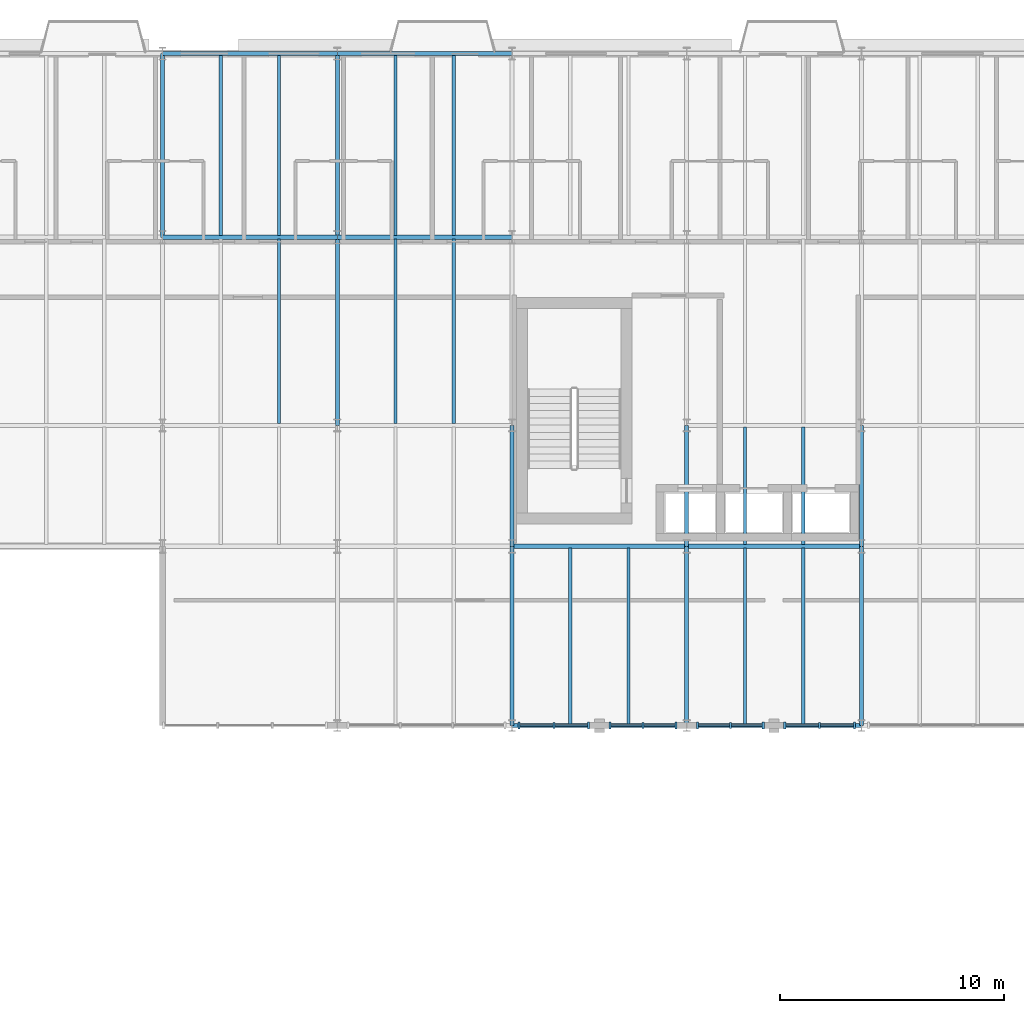
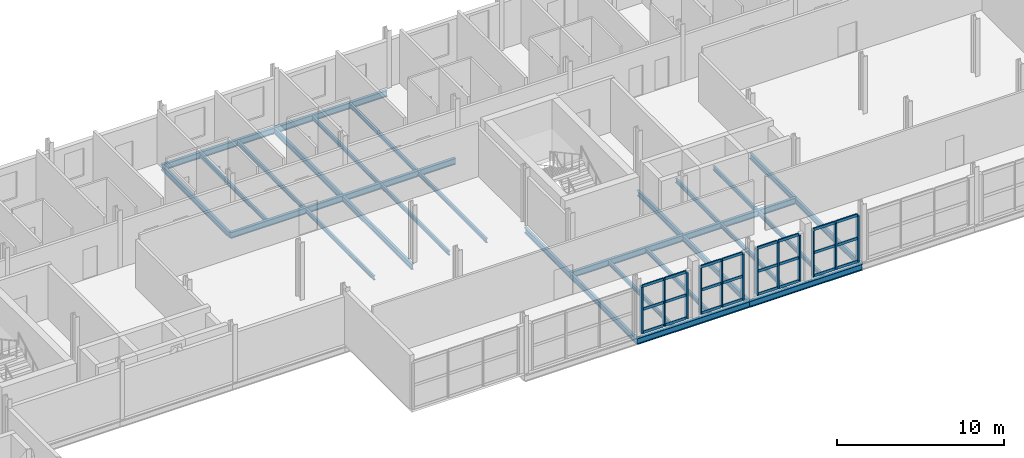
# One storey, part 17 of 45: 36 members, 30 beams, 4 elements without a shape of their own.
"""IFC4 building model written with IfcOpenShell, lengths in metres."""

from ifc_helpers import new_model, si_unit, direction, frame, origin, origin_2d, place, context, subcontext, project, spatial, rectangle, i_section, extrude, material, layer, layer_set, material_profile, profile_set, type_object, element, aggregate, save


model = new_model("IFC4")

# Units and contexts
model_context = context("Model", 3, precision=1e-05, world=origin(), true_north=direction((0.0, 1.0)))
body_context = subcontext(model_context, "Body", "Model", "MODEL_VIEW")
ifc_project = project(units=[si_unit("LENGTHUNIT", "METRE"), si_unit("AREAUNIT", "SQUARE_METRE"), si_unit("VOLUMEUNIT", "CUBIC_METRE"), si_unit("PLANEANGLEUNIT", "RADIAN"), si_unit("MASSUNIT", "GRAM", prefix="KILO")], contexts=[model_context])

# Site, building, storey
site_placement = place(None, origin())
site = spatial("IfcSite", under=ifc_project, at=site_placement, CompositionType="ELEMENT")
building_placement = place(site_placement, origin())
building = spatial("IfcBuilding", under=site, at=building_placement, Name="Sefraquen Railside Congress Hotel", CompositionType="ELEMENT")
storey_placement = place(building_placement, frame((0.0, 0.0, 20.39990234375)))
storey = spatial("IfcBuildingStorey", under=building, at=storey_placement, Name="L04", CompositionType="ELEMENT", Elevation=20.39990234375)

# Beams
ifc_material_1 = material(Name="Steel S355JR", Category="steel")
ifc_material_profile_1 = material_profile(ifc_material_1, i_section(OverallWidth=0.179931640625, OverallDepth=0.39990234375, WebThickness=0.008544921875, FlangeThickness=0.013427734375, FilletRadius=0.02099609375, at=origin_2d()), Name="IPE 400")
ifc_profile_set_1 = profile_set([ifc_material_profile_1], Name="Steel S355JR")
beam_type_1 = type_object("IfcBeamType", Name="TB-BM-400I", PredefinedType="BEAM", material=ifc_profile_set_1)
beam_1_placement = place(storey_placement, frame((48.60009765625, 109.800048828125, -0.47998046875), z_axis=(0.0, 1.0, 0.0), x_axis=(-1.0, 0.0, 0.0)))
element("IfcBeam", 1, at=beam_1_placement, inside=storey, type_object=beam_type_1, Name="Floor beam BM-L04-1371", PredefinedType="BEAM", context=body_context, shape_type="SweptSolid", body=[
    extrude(i_section(OverallWidth=0.179931640625, OverallDepth=0.39990234375, WebThickness=0.008544921875, FlangeThickness=0.013427734375, FilletRadius=0.02099609375, at=origin_2d()), origin(), (0.0, 0.0, 1.0), 8.199951171875),
])
beam_2_placement = place(storey_placement, frame((56.39990234375, 101.39990234375, -0.47998046875), z_axis=(0.0, 1.0, 0.0), x_axis=(-1.0, 0.0, 0.0)))
element("IfcBeam", 2, at=beam_2_placement, inside=storey, type_object=beam_type_1, Name="Floor beam BM-L04-1374", PredefinedType="BEAM", context=body_context, shape_type="SweptSolid", body=[
    extrude(i_section(OverallWidth=0.179931640625, OverallDepth=0.39990234375, WebThickness=0.008544921875, FlangeThickness=0.013427734375, FilletRadius=0.02099609375, at=origin_2d()), origin(), (0.0, 0.0, 1.0), 8.400146484375),
])
beam_3_placement = place(storey_placement, frame((56.39990234375, 109.800048828125, -0.47998046875), z_axis=(0.0, 1.0, 0.0), x_axis=(-1.0, 0.0, 0.0)))
element("IfcBeam", 3, at=beam_3_placement, inside=storey, type_object=beam_type_1, Name="Floor beam BM-L04-1375", PredefinedType="BEAM", context=body_context, shape_type="SweptSolid", body=[
    extrude(i_section(OverallWidth=0.179931640625, OverallDepth=0.39990234375, WebThickness=0.008544921875, FlangeThickness=0.013427734375, FilletRadius=0.02099609375, at=origin_2d()), origin(), (0.0, 0.0, 1.0), 8.199951171875),
])
beam_4_placement = place(storey_placement, frame((64.199951171875, 88.0, -0.47998046875), z_axis=(0.0, 1.0, 0.0), x_axis=(-1.0, 0.0, 0.0)))
element("IfcBeam", 4, at=beam_4_placement, inside=storey, type_object=beam_type_1, Name="Floor beam BM-L04-1376", PredefinedType="BEAM", context=body_context, shape_type="SweptSolid", body=[
    extrude(i_section(OverallWidth=0.179931640625, OverallDepth=0.39990234375, WebThickness=0.008544921875, FlangeThickness=0.013427734375, FilletRadius=0.02099609375, at=origin_2d()), origin(), (0.0, 0.0, 1.0), 8.0),
])
beam_5_placement = place(storey_placement, frame((64.199951171875, 96.0, -0.47998046875), z_axis=(0.0, 1.0, 0.0), x_axis=(-1.0, 0.0, 0.0)))
element("IfcBeam", 5, at=beam_5_placement, inside=storey, type_object=beam_type_1, Name="Floor beam BM-L04-1377", PredefinedType="BEAM", context=body_context, shape_type="SweptSolid", body=[
    extrude(i_section(OverallWidth=0.179931640625, OverallDepth=0.39990234375, WebThickness=0.008544921875, FlangeThickness=0.013427734375, FilletRadius=0.02099609375, at=origin_2d()), origin(), (0.0, 0.0, 1.0), 5.39990234375),
])
beam_6_placement = place(storey_placement, frame((72.0, 88.0, -0.47998046875), z_axis=(0.0, 1.0, 0.0), x_axis=(-1.0, 0.0, 0.0)))
element("IfcBeam", 6, at=beam_6_placement, inside=storey, type_object=beam_type_1, Name="Floor beam BM-L04-1380", PredefinedType="BEAM", context=body_context, shape_type="SweptSolid", body=[
    extrude(i_section(OverallWidth=0.179931640625, OverallDepth=0.39990234375, WebThickness=0.008544921875, FlangeThickness=0.013427734375, FilletRadius=0.02099609375, at=origin_2d()), origin(), (0.0, 0.0, 1.0), 8.0),
])
beam_7_placement = place(storey_placement, frame((72.0, 96.0, -0.47998046875), z_axis=(0.0, 1.0, 0.0), x_axis=(-1.0, 0.0, 0.0)))
element("IfcBeam", 7, at=beam_7_placement, inside=storey, type_object=beam_type_1, Name="Floor beam BM-L04-1381", PredefinedType="BEAM", context=body_context, shape_type="SweptSolid", body=[
    extrude(i_section(OverallWidth=0.179931640625, OverallDepth=0.39990234375, WebThickness=0.008544921875, FlangeThickness=0.013427734375, FilletRadius=0.02099609375, at=origin_2d()), origin(), (0.0, 0.0, 1.0), 5.39990234375),
])
beam_8_placement = place(storey_placement, frame((79.800048828125, 88.0, -0.47998046875), z_axis=(0.0, 1.0, 0.0), x_axis=(-1.0, 0.0, 0.0)))
element("IfcBeam", 8, at=beam_8_placement, inside=storey, type_object=beam_type_1, Name="Floor beam BM-L04-1384", PredefinedType="BEAM", context=body_context, shape_type="SweptSolid", body=[
    extrude(i_section(OverallWidth=0.179931640625, OverallDepth=0.39990234375, WebThickness=0.008544921875, FlangeThickness=0.013427734375, FilletRadius=0.02099609375, at=origin_2d()), origin(), (0.0, 0.0, 1.0), 8.0),
])
beam_9_placement = place(storey_placement, frame((79.800048828125, 96.0, -0.47998046875), z_axis=(0.0, 1.0, 0.0), x_axis=(-1.0, 0.0, 0.0)))
element("IfcBeam", 9, at=beam_9_placement, inside=storey, type_object=beam_type_1, Name="Floor beam BM-L04-1385", PredefinedType="BEAM", context=body_context, shape_type="SweptSolid", body=[
    extrude(i_section(OverallWidth=0.179931640625, OverallDepth=0.39990234375, WebThickness=0.008544921875, FlangeThickness=0.013427734375, FilletRadius=0.02099609375, at=origin_2d()), origin(), (0.0, 0.0, 1.0), 5.39990234375),
])
ifc_material_profile_2 = material_profile(ifc_material_1, i_section(OverallWidth=0.18994140625, OverallDepth=0.449951171875, WebThickness=0.009521484375, FlangeThickness=0.0146484375, FilletRadius=0.02099609375, at=origin_2d()), Name="IPE 450")
ifc_profile_set_2 = profile_set([ifc_material_profile_2], Name="Steel S355JR")
beam_type_2 = type_object("IfcBeamType", Name="TB-BM-450", PredefinedType="BEAM", material=ifc_profile_set_2)
for number, where, z_axis, x_axis, name in (
    (10, (64.199951171875, 88.0, -0.5048828125), (1.0, 0.0, 0.0), (0.0, 1.0, 0.0), "Primary girder BM-L04-1280"),
    (11, (72.0, 88.0, -0.5048828125), (1.0, 0.0, 0.0), (0.0, 1.0, 0.0), "Primary girder BM-L04-1281"),
    (12, (64.199951171875, 96.0, -0.5048828125), (1.0, 0.0, 0.0), (0.0, 1.0, 0.0), "Primary girder BM-L04-1295"),
    (13, (72.0, 96.0, -0.5048828125), (1.0, 0.0, 0.0), (0.0, 1.0, 0.0), "Primary girder BM-L04-1296"),
):
    element("IfcBeam", number, at=place(storey_placement, frame(where, z_axis=z_axis, x_axis=x_axis)), inside=storey, type_object=beam_type_2, Name=name, PredefinedType="BEAM", context=body_context, shape_type="SweptSolid", body=[
        extrude(i_section(OverallWidth=0.18994140625, OverallDepth=0.449951171875, WebThickness=0.009521484375, FlangeThickness=0.0146484375, FilletRadius=0.02099609375, at=origin_2d()), origin(), (0.0, 0.0, 1.0), 7.800048828125),
    ])
beam_10_placement = place(storey_placement, frame((48.60009765625, 109.800048828125, -0.5048828125), z_axis=(1.0, 0.0, 0.0), x_axis=(0.0, 1.0, 0.0)))
element("IfcBeam", 14, at=beam_10_placement, inside=storey, type_object=beam_type_2, Name="Primary girder BM-L04-1320", PredefinedType="BEAM", context=body_context, shape_type="SweptSolid", body=[
    extrude(i_section(OverallWidth=0.18994140625, OverallDepth=0.449951171875, WebThickness=0.009521484375, FlangeThickness=0.0146484375, FilletRadius=0.02099609375, at=origin_2d()), origin(), (0.0, 0.0, 1.0), 7.7998046875),
])
beam_11_placement = place(storey_placement, frame((56.39990234375, 109.800048828125, -0.5048828125), z_axis=(1.0, 0.0, 0.0), x_axis=(0.0, 1.0, 0.0)))
element("IfcBeam", 15, at=beam_11_placement, inside=storey, type_object=beam_type_2, Name="Primary girder BM-L04-1321", PredefinedType="BEAM", context=body_context, shape_type="SweptSolid", body=[
    extrude(i_section(OverallWidth=0.18994140625, OverallDepth=0.449951171875, WebThickness=0.009521484375, FlangeThickness=0.0146484375, FilletRadius=0.02099609375, at=origin_2d()), origin(), (0.0, 0.0, 1.0), 7.800048828125),
])
beam_12_placement = place(storey_placement, frame((48.60009765625, 118.0, -0.5048828125), z_axis=(1.0, 0.0, 0.0), x_axis=(0.0, 1.0, 0.0)))
element("IfcBeam", 16, at=beam_12_placement, inside=storey, type_object=beam_type_2, Name="Primary girder BM-L04-1332", PredefinedType="BEAM", context=body_context, shape_type="SweptSolid", body=[
    extrude(i_section(OverallWidth=0.18994140625, OverallDepth=0.449951171875, WebThickness=0.009521484375, FlangeThickness=0.0146484375, FilletRadius=0.02099609375, at=origin_2d()), origin(), (0.0, 0.0, 1.0), 7.7998046875),
])
beam_13_placement = place(storey_placement, frame((56.39990234375, 118.0, -0.5048828125), z_axis=(1.0, 0.0, 0.0), x_axis=(0.0, 1.0, 0.0)))
element("IfcBeam", 17, at=beam_13_placement, inside=storey, type_object=beam_type_2, Name="Primary girder BM-L04-1333", PredefinedType="BEAM", context=body_context, shape_type="SweptSolid", body=[
    extrude(i_section(OverallWidth=0.18994140625, OverallDepth=0.449951171875, WebThickness=0.009521484375, FlangeThickness=0.0146484375, FilletRadius=0.02099609375, at=origin_2d()), origin(), (0.0, 0.0, 1.0), 7.800048828125),
])
ifc_material_profile_3 = material_profile(ifc_material_1, i_section(OverallWidth=0.14990234375, OverallDepth=0.300048828125, WebThickness=0.007080078125, FlangeThickness=0.0107421875, FilletRadius=0.014892578125, at=origin_2d()), Name="IPE 300")
ifc_profile_set_3 = profile_set([ifc_material_profile_3], Name="Steel S355JR")
beam_type_3 = type_object("IfcBeamType", Name="TB-JST-300", PredefinedType="JOIST", material=ifc_profile_set_3)
beam_14_placement = place(storey_placement, frame((53.800048828125, 101.47509765625, -0.429931640625), z_axis=(0.0, 1.0, 0.0), x_axis=(-1.0, 0.0, 0.0)))
element("IfcBeam", 18, at=beam_14_placement, inside=storey, type_object=beam_type_3, Name="Composite floor joist BM-L04-J0865", PredefinedType="JOIST", context=body_context, shape_type="SweptSolid", body=[
    extrude(i_section(OverallWidth=0.14990234375, OverallDepth=0.300048828125, WebThickness=0.007080078125, FlangeThickness=0.0107421875, FilletRadius=0.014892578125, at=origin_2d()), origin(), (0.0, 0.0, 1.0), 8.25),
])
for number, where, z_axis, x_axis, name in (
    (19, (51.199951171875, 109.875, -0.429931640625), (0.0, 1.0, 0.0), (-1.0, 0.0, 0.0), "Composite floor joist BM-L04-J0866"),
    (20, (53.800048828125, 109.875, -0.429931640625), (0.0, 1.0, 0.0), (-1.0, 0.0, 0.0), "Composite floor joist BM-L04-J0867"),
):
    element("IfcBeam", number, at=place(storey_placement, frame(where, z_axis=z_axis, x_axis=x_axis)), inside=storey, type_object=beam_type_3, Name=name, PredefinedType="JOIST", context=body_context, shape_type="SweptSolid", body=[
        extrude(i_section(OverallWidth=0.14990234375, OverallDepth=0.300048828125, WebThickness=0.007080078125, FlangeThickness=0.0107421875, FilletRadius=0.014892578125, at=origin_2d()), origin(), (0.0, 0.0, 1.0), 8.050048828125),
    ])
for number, where, z_axis, x_axis, name in (
    (21, (59.0, 101.47509765625, -0.429931640625), (0.0, 1.0, 0.0), (-1.0, 0.0, 0.0), "Composite floor joist BM-L04-J0872"),
    (22, (61.60009765625, 101.47509765625, -0.429931640625), (0.0, 1.0, 0.0), (-1.0, 0.0, 0.0), "Composite floor joist BM-L04-J0873"),
):
    element("IfcBeam", number, at=place(storey_placement, frame(where, z_axis=z_axis, x_axis=x_axis)), inside=storey, type_object=beam_type_3, Name=name, PredefinedType="JOIST", context=body_context, shape_type="SweptSolid", body=[
        extrude(i_section(OverallWidth=0.14990234375, OverallDepth=0.300048828125, WebThickness=0.007080078125, FlangeThickness=0.0107421875, FilletRadius=0.014892578125, at=origin_2d()), origin(), (0.0, 0.0, 1.0), 8.25),
    ])
for number, where, z_axis, x_axis, name in (
    (23, (59.0, 109.875, -0.429931640625), (0.0, 1.0, 0.0), (-1.0, 0.0, 0.0), "Composite floor joist BM-L04-J0874"),
    (24, (61.60009765625, 109.875, -0.429931640625), (0.0, 1.0, 0.0), (-1.0, 0.0, 0.0), "Composite floor joist BM-L04-J0875"),
):
    element("IfcBeam", number, at=place(storey_placement, frame(where, z_axis=z_axis, x_axis=x_axis)), inside=storey, type_object=beam_type_3, Name=name, PredefinedType="JOIST", context=body_context, shape_type="SweptSolid", body=[
        extrude(i_section(OverallWidth=0.14990234375, OverallDepth=0.300048828125, WebThickness=0.007080078125, FlangeThickness=0.0107421875, FilletRadius=0.014892578125, at=origin_2d()), origin(), (0.0, 0.0, 1.0), 8.050048828125),
    ])
for number, where, z_axis, x_axis, name in (
    (25, (66.800048828125, 88.074951171875, -0.429931640625), (0.0, 1.0, 0.0), (-1.0, 0.0, 0.0), "Composite floor joist BM-L04-J0876"),
    (26, (69.39990234375, 88.074951171875, -0.429931640625), (0.0, 1.0, 0.0), (-1.0, 0.0, 0.0), "Composite floor joist BM-L04-J0877"),
    (27, (74.60009765625, 88.074951171875, -0.429931640625), (0.0, 1.0, 0.0), (-1.0, 0.0, 0.0), "Composite floor joist BM-L04-J0880"),
    (28, (77.199951171875, 88.074951171875, -0.429931640625), (0.0, 1.0, 0.0), (-1.0, 0.0, 0.0), "Composite floor joist BM-L04-J0881"),
):
    element("IfcBeam", number, at=place(storey_placement, frame(where, z_axis=z_axis, x_axis=x_axis)), inside=storey, type_object=beam_type_3, Name=name, PredefinedType="JOIST", context=body_context, shape_type="SweptSolid", body=[
        extrude(i_section(OverallWidth=0.14990234375, OverallDepth=0.300048828125, WebThickness=0.007080078125, FlangeThickness=0.0107421875, FilletRadius=0.014892578125, at=origin_2d()), origin(), (0.0, 0.0, 1.0), 7.85009765625),
    ])
for number, where, z_axis, x_axis, name in (
    (29, (74.60009765625, 96.074951171875, -0.429931640625), (0.0, 1.0, 0.0), (-1.0, 0.0, 0.0), "Composite floor joist BM-L04-J0882"),
    (30, (77.199951171875, 96.074951171875, -0.429931640625), (0.0, 1.0, 0.0), (-1.0, 0.0, 0.0), "Composite floor joist BM-L04-J0883"),
):
    element("IfcBeam", number, at=place(storey_placement, frame(where, z_axis=z_axis, x_axis=x_axis)), inside=storey, type_object=beam_type_3, Name=name, PredefinedType="JOIST", context=body_context, shape_type="SweptSolid", body=[
        extrude(i_section(OverallWidth=0.14990234375, OverallDepth=0.300048828125, WebThickness=0.007080078125, FlangeThickness=0.0107421875, FilletRadius=0.014892578125, at=origin_2d()), origin(), (0.0, 0.0, 1.0), 5.25),
    ])

# Curtain wall, member
ifc_material_2 = material(Name="Thermally broken anodised aluminium and low-E double glazing", Category="aluminium")
ifc_layer = layer(ifc_material_2, 0.199951171875)
ifc_layer_set = layer_set([ifc_layer], Name="Thermally broken anodised aluminium and low-E double glazing")
curtain_wall_type = type_object("IfcCurtainWallType", Name="TCW-UCW-06", PredefinedType="USERDEFINED", material=ifc_layer_set)
curtain_wall_1_placement = place(storey_placement, origin())
curtain_wall_1 = element("IfcCurtainWall", 31, at=curtain_wall_1_placement, inside=storey, type_object=curtain_wall_type, Name="Meeting Wing L04 courtyard north curtain wall 2", ObjectType="UNITISED CURTAIN WALL", PredefinedType="USERDEFINED")
ifc_material_3 = material(Name="Thermally broken anodised aluminium 6063-T6", Category="aluminium")
ifc_material_profile_4 = material_profile(ifc_material_3, rectangle(XDim=0.090087890625, YDim=0.280029296875, at=origin_2d()), Name="CWM 90x280")
ifc_profile_set_4 = profile_set([ifc_material_profile_4], Name="Thermally broken anodised aluminium 6063-T6")
member_type_1 = type_object("IfcMemberType", Name="TM-CWM-07", PredefinedType="MULLION", material=ifc_profile_set_4)
member_1_placement = place(storey_placement, frame((66.06494140625, 88.0, 0.0), z_axis=(0.0, 0.0, 1.0), x_axis=(1.0, 0.0, 0.0)))
member_1 = element("IfcMember", 32, at=member_1_placement, type_object=member_type_1, Name="CW-L04-070 mullion 2", PredefinedType="MULLION", context=body_context, shape_type="SweptSolid", body=[
    extrude(rectangle(XDim=0.090087890625, YDim=0.280029296875, at=origin_2d()), origin(), (0.0, 0.0, 1.0), 3.39013671875),
])

curtain_wall_2_placement = place(storey_placement, origin())
curtain_wall_2 = element("IfcCurtainWall", 33, at=curtain_wall_2_placement, inside=storey, type_object=curtain_wall_type, Name="Meeting Wing L04 courtyard north curtain wall 2 bay 2", ObjectType="UNITISED CURTAIN WALL", PredefinedType="USERDEFINED")
member_2_placement = place(storey_placement, frame((70.050048828125, 88.0, 0.0), z_axis=(0.0, 0.0, 1.0), x_axis=(1.0, 0.0, 0.0)))
member_2 = element("IfcMember", 34, at=member_2_placement, type_object=member_type_1, Name="CW-L04-070-S2 mullion 2", PredefinedType="MULLION", context=body_context, shape_type="SweptSolid", body=[
    extrude(rectangle(XDim=0.090087890625, YDim=0.280029296875, at=origin_2d()), origin(), (0.0, 0.0, 1.0), 3.39013671875),
])

curtain_wall_3_placement = place(storey_placement, origin())
curtain_wall_3 = element("IfcCurtainWall", 35, at=curtain_wall_3_placement, inside=storey, type_object=curtain_wall_type, Name="Meeting Wing L04 courtyard north curtain wall 2 bay 3", ObjectType="UNITISED CURTAIN WALL", PredefinedType="USERDEFINED")
member_3_placement = place(storey_placement, frame((73.949951171875, 88.0, 0.0), z_axis=(0.0, 0.0, 1.0), x_axis=(1.0, 0.0, 0.0)))
member_3 = element("IfcMember", 36, at=member_3_placement, type_object=member_type_1, Name="CW-L04-070-S3 mullion 2", PredefinedType="MULLION", context=body_context, shape_type="SweptSolid", body=[
    extrude(rectangle(XDim=0.090087890625, YDim=0.280029296875, at=origin_2d()), origin(), (0.0, 0.0, 1.0), 3.39013671875),
])

curtain_wall_4_placement = place(storey_placement, origin())
curtain_wall_4 = element("IfcCurtainWall", 37, at=curtain_wall_4_placement, inside=storey, type_object=curtain_wall_type, Name="Meeting Wing L04 courtyard north curtain wall 2 bay 4", ObjectType="UNITISED CURTAIN WALL", PredefinedType="USERDEFINED")
member_4_placement = place(storey_placement, frame((77.93505859375, 88.0, 0.0), z_axis=(0.0, 0.0, 1.0), x_axis=(1.0, 0.0, 0.0)))
member_4 = element("IfcMember", 38, at=member_4_placement, type_object=member_type_1, Name="CW-L04-070-S4 mullion 2", PredefinedType="MULLION", context=body_context, shape_type="SweptSolid", body=[
    extrude(rectangle(XDim=0.090087890625, YDim=0.280029296875, at=origin_2d()), origin(), (0.0, 0.0, 1.0), 3.39013671875),
])

# Member
ifc_material_profile_5 = material_profile(ifc_material_3, rectangle(XDim=0.094970703125, YDim=0.300048828125, at=origin_2d()), Name="CWM 95x300")
ifc_profile_set_5 = profile_set([ifc_material_profile_5], Name="Thermally broken anodised aluminium 6063-T6")
member_type_2 = type_object("IfcMemberType", Name="TM-CWM-08", PredefinedType="MULLION", material=ifc_profile_set_5)
member_5_placement = place(storey_placement, frame((64.510009765625, 88.0, 0.0), z_axis=(0.0, 0.0, 1.0), x_axis=(1.0, 0.0, 0.0)))
member_5 = element("IfcMember", 39, at=member_5_placement, type_object=member_type_2, Name="CW-L04-070 mullion 1", PredefinedType="MULLION", context=body_context, shape_type="SweptSolid", body=[
    extrude(rectangle(XDim=0.094970703125, YDim=0.300048828125, at=origin_2d()), origin(), (0.0, 0.0, 1.0), 3.39013671875),
])

member_6_placement = place(storey_placement, frame((67.6201171875, 88.0, 0.0), z_axis=(0.0, 0.0, 1.0), x_axis=(1.0, 0.0, 0.0)))
member_6 = element("IfcMember", 40, at=member_6_placement, type_object=member_type_2, Name="CW-L04-070 mullion 3", PredefinedType="MULLION", context=body_context, shape_type="SweptSolid", body=[
    extrude(rectangle(XDim=0.094970703125, YDim=0.300048828125, at=origin_2d()), origin(), (0.0, 0.0, 1.0), 3.39013671875),
])

member_7_placement = place(storey_placement, frame((68.580078125, 88.0, 0.0), z_axis=(0.0, 0.0, 1.0), x_axis=(1.0, 0.0, 0.0)))
member_7 = element("IfcMember", 41, at=member_7_placement, type_object=member_type_2, Name="CW-L04-070-S2 mullion 1", PredefinedType="MULLION", context=body_context, shape_type="SweptSolid", body=[
    extrude(rectangle(XDim=0.094970703125, YDim=0.300048828125, at=origin_2d()), origin(), (0.0, 0.0, 1.0), 3.39013671875),
])

member_8_placement = place(storey_placement, frame((71.52001953125, 88.0, 0.0), z_axis=(0.0, 0.0, 1.0), x_axis=(1.0, 0.0, 0.0)))
member_8 = element("IfcMember", 42, at=member_8_placement, type_object=member_type_2, Name="CW-L04-070-S2 mullion 3", PredefinedType="MULLION", context=body_context, shape_type="SweptSolid", body=[
    extrude(rectangle(XDim=0.094970703125, YDim=0.300048828125, at=origin_2d()), origin(), (0.0, 0.0, 1.0), 3.39013671875),
])

member_9_placement = place(storey_placement, frame((72.47998046875, 88.0, 0.0), z_axis=(0.0, 0.0, 1.0), x_axis=(1.0, 0.0, 0.0)))
member_9 = element("IfcMember", 43, at=member_9_placement, type_object=member_type_2, Name="CW-L04-070-S3 mullion 1", PredefinedType="MULLION", context=body_context, shape_type="SweptSolid", body=[
    extrude(rectangle(XDim=0.094970703125, YDim=0.300048828125, at=origin_2d()), origin(), (0.0, 0.0, 1.0), 3.39013671875),
])

member_10_placement = place(storey_placement, frame((75.419921875, 88.0, 0.0), z_axis=(0.0, 0.0, 1.0), x_axis=(1.0, 0.0, 0.0)))
member_10 = element("IfcMember", 44, at=member_10_placement, type_object=member_type_2, Name="CW-L04-070-S3 mullion 3", PredefinedType="MULLION", context=body_context, shape_type="SweptSolid", body=[
    extrude(rectangle(XDim=0.094970703125, YDim=0.300048828125, at=origin_2d()), origin(), (0.0, 0.0, 1.0), 3.39013671875),
])

member_11_placement = place(storey_placement, frame((76.3798828125, 88.0, 0.0), z_axis=(0.0, 0.0, 1.0), x_axis=(1.0, 0.0, 0.0)))
member_11 = element("IfcMember", 45, at=member_11_placement, type_object=member_type_2, Name="CW-L04-070-S4 mullion 1", PredefinedType="MULLION", context=body_context, shape_type="SweptSolid", body=[
    extrude(rectangle(XDim=0.094970703125, YDim=0.300048828125, at=origin_2d()), origin(), (0.0, 0.0, 1.0), 3.39013671875),
])

member_12_placement = place(storey_placement, frame((79.489990234375, 88.0, 0.0), z_axis=(0.0, 0.0, 1.0), x_axis=(1.0, 0.0, 0.0)))
member_12 = element("IfcMember", 46, at=member_12_placement, type_object=member_type_2, Name="CW-L04-070-S4 mullion 3", PredefinedType="MULLION", context=body_context, shape_type="SweptSolid", body=[
    extrude(rectangle(XDim=0.094970703125, YDim=0.300048828125, at=origin_2d()), origin(), (0.0, 0.0, 1.0), 3.39013671875),
])

ifc_material_profile_6 = material_profile(ifc_material_3, rectangle(XDim=0.0849609375, YDim=0.195068359375, at=origin_2d()), Name="CWT 85x195")
ifc_profile_set_6 = profile_set([ifc_material_profile_6], Name="Thermally broken anodised aluminium 6063-T6")
member_type_3 = type_object("IfcMemberType", Name="TM-CWT-06", PredefinedType="USERDEFINED", material=ifc_profile_set_6)
member_13_placement = place(storey_placement, frame((64.554931640625, 88.0, 0.0), z_axis=(1.0, 0.0, 0.0), x_axis=(0.0, 1.0, 0.0)))
member_13 = element("IfcMember", 47, at=member_13_placement, type_object=member_type_3, Name="CW-L04-070 transom 1.1", ObjectType="TRANSOM", PredefinedType="USERDEFINED", context=body_context, shape_type="SweptSolid", body=[
    extrude(rectangle(XDim=0.0849609375, YDim=0.195068359375, at=origin_2d()), origin(), (0.0, 0.0, 1.0), 1.465087890625),
])

member_14_placement = place(storey_placement, frame((66.110107421875, 88.0, 0.0), z_axis=(1.0, 0.0, 0.0), x_axis=(0.0, 1.0, 0.0)))
member_14 = element("IfcMember", 48, at=member_14_placement, type_object=member_type_3, Name="CW-L04-070 transom 1.2", ObjectType="TRANSOM", PredefinedType="USERDEFINED", context=body_context, shape_type="SweptSolid", body=[
    extrude(rectangle(XDim=0.0849609375, YDim=0.195068359375, at=origin_2d()), origin(), (0.0, 0.0, 1.0), 1.46484375),
])

member_15_placement = place(storey_placement, frame((64.554931640625, 88.0, 1.695068359375), z_axis=(1.0, 0.0, 0.0), x_axis=(0.0, 1.0, 0.0)))
member_15 = element("IfcMember", 49, at=member_15_placement, type_object=member_type_3, Name="CW-L04-070 transom 2.1", ObjectType="TRANSOM", PredefinedType="USERDEFINED", context=body_context, shape_type="SweptSolid", body=[
    extrude(rectangle(XDim=0.0849609375, YDim=0.195068359375, at=origin_2d()), origin(), (0.0, 0.0, 1.0), 1.465087890625),
])

member_16_placement = place(storey_placement, frame((66.110107421875, 88.0, 1.695068359375), z_axis=(1.0, 0.0, 0.0), x_axis=(0.0, 1.0, 0.0)))
member_16 = element("IfcMember", 50, at=member_16_placement, type_object=member_type_3, Name="CW-L04-070 transom 2.2", ObjectType="TRANSOM", PredefinedType="USERDEFINED", context=body_context, shape_type="SweptSolid", body=[
    extrude(rectangle(XDim=0.0849609375, YDim=0.195068359375, at=origin_2d()), origin(), (0.0, 0.0, 1.0), 1.46484375),
])

member_17_placement = place(storey_placement, frame((64.554931640625, 88.0, 3.39013671875), z_axis=(1.0, 0.0, 0.0), x_axis=(0.0, 1.0, 0.0)))
member_17 = element("IfcMember", 51, at=member_17_placement, type_object=member_type_3, Name="CW-L04-070 transom 3.1", ObjectType="TRANSOM", PredefinedType="USERDEFINED", context=body_context, shape_type="SweptSolid", body=[
    extrude(rectangle(XDim=0.0849609375, YDim=0.195068359375, at=origin_2d()), origin(), (0.0, 0.0, 1.0), 1.465087890625),
])

member_18_placement = place(storey_placement, frame((66.110107421875, 88.0, 3.39013671875), z_axis=(1.0, 0.0, 0.0), x_axis=(0.0, 1.0, 0.0)))
member_18 = element("IfcMember", 52, at=member_18_placement, type_object=member_type_3, Name="CW-L04-070 transom 3.2", ObjectType="TRANSOM", PredefinedType="USERDEFINED", context=body_context, shape_type="SweptSolid", body=[
    extrude(rectangle(XDim=0.0849609375, YDim=0.195068359375, at=origin_2d()), origin(), (0.0, 0.0, 1.0), 1.46484375),
])

aggregate(curtain_wall_1, [member_5, member_1, member_6, member_13, member_14, member_15, member_16, member_17, member_18])

member_19_placement = place(storey_placement, frame((68.625, 88.0, 0.0), z_axis=(1.0, 0.0, 0.0), x_axis=(0.0, 1.0, 0.0)))
member_19 = element("IfcMember", 53, at=member_19_placement, type_object=member_type_3, Name="CW-L04-070-S2 transom 1.1", ObjectType="TRANSOM", PredefinedType="USERDEFINED", context=body_context, shape_type="SweptSolid", body=[
    extrude(rectangle(XDim=0.0849609375, YDim=0.195068359375, at=origin_2d()), origin(), (0.0, 0.0, 1.0), 1.3798828125),
])

member_20_placement = place(storey_placement, frame((70.094970703125, 88.0, 0.0), z_axis=(1.0, 0.0, 0.0), x_axis=(0.0, 1.0, 0.0)))
member_20 = element("IfcMember", 54, at=member_20_placement, type_object=member_type_3, Name="CW-L04-070-S2 transom 1.2", ObjectType="TRANSOM", PredefinedType="USERDEFINED", context=body_context, shape_type="SweptSolid", body=[
    extrude(rectangle(XDim=0.0849609375, YDim=0.195068359375, at=origin_2d()), origin(), (0.0, 0.0, 1.0), 1.380126953125),
])

member_21_placement = place(storey_placement, frame((68.625, 88.0, 1.695068359375), z_axis=(1.0, 0.0, 0.0), x_axis=(0.0, 1.0, 0.0)))
member_21 = element("IfcMember", 55, at=member_21_placement, type_object=member_type_3, Name="CW-L04-070-S2 transom 2.1", ObjectType="TRANSOM", PredefinedType="USERDEFINED", context=body_context, shape_type="SweptSolid", body=[
    extrude(rectangle(XDim=0.0849609375, YDim=0.195068359375, at=origin_2d()), origin(), (0.0, 0.0, 1.0), 1.3798828125),
])

member_22_placement = place(storey_placement, frame((70.094970703125, 88.0, 1.695068359375), z_axis=(1.0, 0.0, 0.0), x_axis=(0.0, 1.0, 0.0)))
member_22 = element("IfcMember", 56, at=member_22_placement, type_object=member_type_3, Name="CW-L04-070-S2 transom 2.2", ObjectType="TRANSOM", PredefinedType="USERDEFINED", context=body_context, shape_type="SweptSolid", body=[
    extrude(rectangle(XDim=0.0849609375, YDim=0.195068359375, at=origin_2d()), origin(), (0.0, 0.0, 1.0), 1.380126953125),
])

member_23_placement = place(storey_placement, frame((68.625, 88.0, 3.39013671875), z_axis=(1.0, 0.0, 0.0), x_axis=(0.0, 1.0, 0.0)))
member_23 = element("IfcMember", 57, at=member_23_placement, type_object=member_type_3, Name="CW-L04-070-S2 transom 3.1", ObjectType="TRANSOM", PredefinedType="USERDEFINED", context=body_context, shape_type="SweptSolid", body=[
    extrude(rectangle(XDim=0.0849609375, YDim=0.195068359375, at=origin_2d()), origin(), (0.0, 0.0, 1.0), 1.3798828125),
])

member_24_placement = place(storey_placement, frame((70.094970703125, 88.0, 3.39013671875), z_axis=(1.0, 0.0, 0.0), x_axis=(0.0, 1.0, 0.0)))
member_24 = element("IfcMember", 58, at=member_24_placement, type_object=member_type_3, Name="CW-L04-070-S2 transom 3.2", ObjectType="TRANSOM", PredefinedType="USERDEFINED", context=body_context, shape_type="SweptSolid", body=[
    extrude(rectangle(XDim=0.0849609375, YDim=0.195068359375, at=origin_2d()), origin(), (0.0, 0.0, 1.0), 1.380126953125),
])

aggregate(curtain_wall_2, [member_7, member_2, member_8, member_19, member_20, member_21, member_22, member_23, member_24])

member_25_placement = place(storey_placement, frame((72.52490234375, 88.0, 0.0), z_axis=(1.0, 0.0, 0.0), x_axis=(0.0, 1.0, 0.0)))
member_25 = element("IfcMember", 59, at=member_25_placement, type_object=member_type_3, Name="CW-L04-070-S3 transom 1.1", ObjectType="TRANSOM", PredefinedType="USERDEFINED", context=body_context, shape_type="SweptSolid", body=[
    extrude(rectangle(XDim=0.0849609375, YDim=0.195068359375, at=origin_2d()), origin(), (0.0, 0.0, 1.0), 1.380126953125),
])

member_26_placement = place(storey_placement, frame((73.9951171875, 88.0, 0.0), z_axis=(1.0, 0.0, 0.0), x_axis=(0.0, 1.0, 0.0)))
member_26 = element("IfcMember", 60, at=member_26_placement, type_object=member_type_3, Name="CW-L04-070-S3 transom 1.2", ObjectType="TRANSOM", PredefinedType="USERDEFINED", context=body_context, shape_type="SweptSolid", body=[
    extrude(rectangle(XDim=0.0849609375, YDim=0.195068359375, at=origin_2d()), origin(), (0.0, 0.0, 1.0), 1.3798828125),
])

member_27_placement = place(storey_placement, frame((72.52490234375, 88.0, 1.695068359375), z_axis=(1.0, 0.0, 0.0), x_axis=(0.0, 1.0, 0.0)))
member_27 = element("IfcMember", 61, at=member_27_placement, type_object=member_type_3, Name="CW-L04-070-S3 transom 2.1", ObjectType="TRANSOM", PredefinedType="USERDEFINED", context=body_context, shape_type="SweptSolid", body=[
    extrude(rectangle(XDim=0.0849609375, YDim=0.195068359375, at=origin_2d()), origin(), (0.0, 0.0, 1.0), 1.380126953125),
])

member_28_placement = place(storey_placement, frame((73.9951171875, 88.0, 1.695068359375), z_axis=(1.0, 0.0, 0.0), x_axis=(0.0, 1.0, 0.0)))
member_28 = element("IfcMember", 62, at=member_28_placement, type_object=member_type_3, Name="CW-L04-070-S3 transom 2.2", ObjectType="TRANSOM", PredefinedType="USERDEFINED", context=body_context, shape_type="SweptSolid", body=[
    extrude(rectangle(XDim=0.0849609375, YDim=0.195068359375, at=origin_2d()), origin(), (0.0, 0.0, 1.0), 1.3798828125),
])

member_29_placement = place(storey_placement, frame((72.52490234375, 88.0, 3.39013671875), z_axis=(1.0, 0.0, 0.0), x_axis=(0.0, 1.0, 0.0)))
member_29 = element("IfcMember", 63, at=member_29_placement, type_object=member_type_3, Name="CW-L04-070-S3 transom 3.1", ObjectType="TRANSOM", PredefinedType="USERDEFINED", context=body_context, shape_type="SweptSolid", body=[
    extrude(rectangle(XDim=0.0849609375, YDim=0.195068359375, at=origin_2d()), origin(), (0.0, 0.0, 1.0), 1.380126953125),
])

member_30_placement = place(storey_placement, frame((73.9951171875, 88.0, 3.39013671875), z_axis=(1.0, 0.0, 0.0), x_axis=(0.0, 1.0, 0.0)))
member_30 = element("IfcMember", 64, at=member_30_placement, type_object=member_type_3, Name="CW-L04-070-S3 transom 3.2", ObjectType="TRANSOM", PredefinedType="USERDEFINED", context=body_context, shape_type="SweptSolid", body=[
    extrude(rectangle(XDim=0.0849609375, YDim=0.195068359375, at=origin_2d()), origin(), (0.0, 0.0, 1.0), 1.3798828125),
])

aggregate(curtain_wall_3, [member_9, member_3, member_10, member_25, member_26, member_27, member_28, member_29, member_30])

member_31_placement = place(storey_placement, frame((76.425048828125, 88.0, 0.0), z_axis=(1.0, 0.0, 0.0), x_axis=(0.0, 1.0, 0.0)))
member_31 = element("IfcMember", 65, at=member_31_placement, type_object=member_type_3, Name="CW-L04-070-S4 transom 1.1", ObjectType="TRANSOM", PredefinedType="USERDEFINED", context=body_context, shape_type="SweptSolid", body=[
    extrude(rectangle(XDim=0.0849609375, YDim=0.195068359375, at=origin_2d()), origin(), (0.0, 0.0, 1.0), 1.46484375),
])

member_32_placement = place(storey_placement, frame((77.97998046875, 88.0, 0.0), z_axis=(1.0, 0.0, 0.0), x_axis=(0.0, 1.0, 0.0)))
member_32 = element("IfcMember", 66, at=member_32_placement, type_object=member_type_3, Name="CW-L04-070-S4 transom 1.2", ObjectType="TRANSOM", PredefinedType="USERDEFINED", context=body_context, shape_type="SweptSolid", body=[
    extrude(rectangle(XDim=0.0849609375, YDim=0.195068359375, at=origin_2d()), origin(), (0.0, 0.0, 1.0), 1.465087890625),
])

member_33_placement = place(storey_placement, frame((76.425048828125, 88.0, 1.695068359375), z_axis=(1.0, 0.0, 0.0), x_axis=(0.0, 1.0, 0.0)))
member_33 = element("IfcMember", 67, at=member_33_placement, type_object=member_type_3, Name="CW-L04-070-S4 transom 2.1", ObjectType="TRANSOM", PredefinedType="USERDEFINED", context=body_context, shape_type="SweptSolid", body=[
    extrude(rectangle(XDim=0.0849609375, YDim=0.195068359375, at=origin_2d()), origin(), (0.0, 0.0, 1.0), 1.46484375),
])

member_34_placement = place(storey_placement, frame((77.97998046875, 88.0, 1.695068359375), z_axis=(1.0, 0.0, 0.0), x_axis=(0.0, 1.0, 0.0)))
member_34 = element("IfcMember", 68, at=member_34_placement, type_object=member_type_3, Name="CW-L04-070-S4 transom 2.2", ObjectType="TRANSOM", PredefinedType="USERDEFINED", context=body_context, shape_type="SweptSolid", body=[
    extrude(rectangle(XDim=0.0849609375, YDim=0.195068359375, at=origin_2d()), origin(), (0.0, 0.0, 1.0), 1.465087890625),
])

member_35_placement = place(storey_placement, frame((76.425048828125, 88.0, 3.39013671875), z_axis=(1.0, 0.0, 0.0), x_axis=(0.0, 1.0, 0.0)))
member_35 = element("IfcMember", 69, at=member_35_placement, type_object=member_type_3, Name="CW-L04-070-S4 transom 3.1", ObjectType="TRANSOM", PredefinedType="USERDEFINED", context=body_context, shape_type="SweptSolid", body=[
    extrude(rectangle(XDim=0.0849609375, YDim=0.195068359375, at=origin_2d()), origin(), (0.0, 0.0, 1.0), 1.46484375),
])

member_36_placement = place(storey_placement, frame((77.97998046875, 88.0, 3.39013671875), z_axis=(1.0, 0.0, 0.0), x_axis=(0.0, 1.0, 0.0)))
member_36 = element("IfcMember", 70, at=member_36_placement, type_object=member_type_3, Name="CW-L04-070-S4 transom 3.2", ObjectType="TRANSOM", PredefinedType="USERDEFINED", context=body_context, shape_type="SweptSolid", body=[
    extrude(rectangle(XDim=0.0849609375, YDim=0.195068359375, at=origin_2d()), origin(), (0.0, 0.0, 1.0), 1.465087890625),
])

aggregate(curtain_wall_4, [member_11, member_4, member_12, member_31, member_32, member_33, member_34, member_35, member_36])

save(model, "model.ifc")
